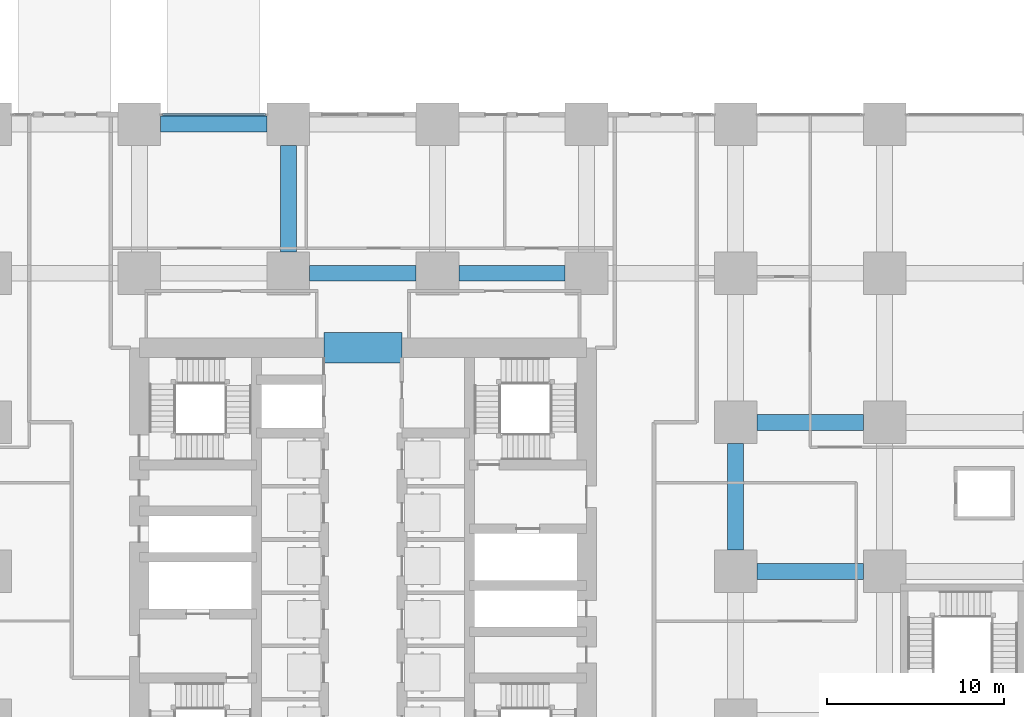
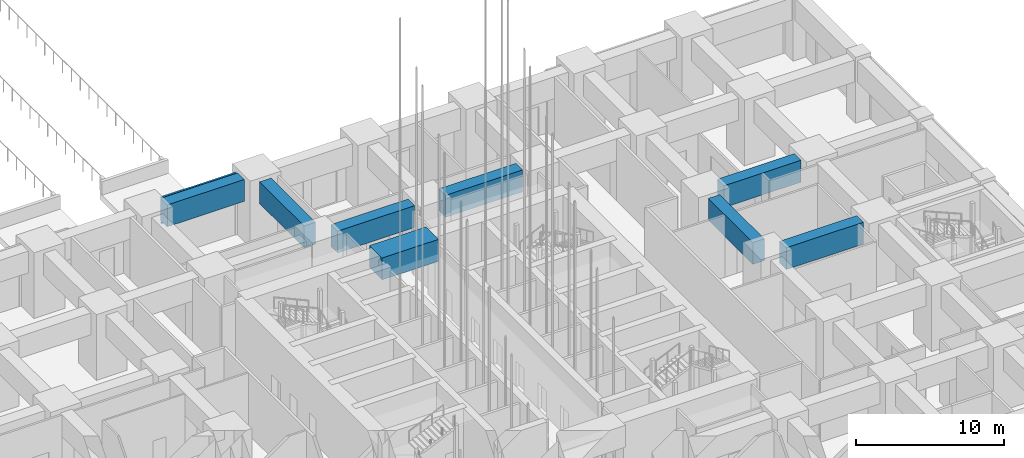
# One storey, part 25 of 81: 8 beams, 2 members, 1 element without a shape of its own.
"""IFC4 building model written with IfcOpenShell, lengths in metres."""

from ifc_helpers import new_model, si_unit, direction, frame, origin, origin_2d, place, context, subcontext, project, spatial, rectangle, hollow_rectangle, extrude, material, material_profile, profile_set, type_object, element, aggregate, save


model = new_model("IFC4")

# Units and contexts
model_context = context("Model", 3, precision=1e-05, world=origin(), true_north=direction((0.0, 1.0)))
body_context = subcontext(model_context, "Body", "Model", "MODEL_VIEW")
ifc_project = project(units=[si_unit("LENGTHUNIT", "METRE"), si_unit("AREAUNIT", "SQUARE_METRE"), si_unit("VOLUMEUNIT", "CUBIC_METRE"), si_unit("PLANEANGLEUNIT", "RADIAN"), si_unit("MASSUNIT", "GRAM", prefix="KILO")], contexts=[model_context])

# Site, building, storey
site_placement = place(None, origin())
site = spatial("IfcSite", under=ifc_project, at=site_placement, CompositionType="ELEMENT")
building_placement = place(site_placement, origin())
building = spatial("IfcBuilding", under=site, at=building_placement, Name="Rekha Terrace Tower", CompositionType="ELEMENT")
storey_placement = place(building_placement, origin())
storey = spatial("IfcBuildingStorey", under=building, at=storey_placement, Name="L00", CompositionType="ELEMENT", Elevation=0.0)

# Curtain wall, members
ifc_material_1 = material(Name="Aluminium framing", Category="aluminium")
curtain_wall_type = type_object("IfcCurtainWallType", Name="CW4 podium shopfront glazing", PredefinedType="USERDEFINED", material=ifc_material_1)
curtain_wall_placement = place(storey_placement, origin())
curtain_wall = element("IfcCurtainWall", 1, at=curtain_wall_placement, inside=storey, type_object=curtain_wall_type, Name="CW4 shopfront curtain wall", ObjectType="SHOPFRONT CURTAIN WALL", PredefinedType="USERDEFINED")
ifc_material_2 = material(Name="Aluminium transom section", Category="aluminium")
ifc_material_profile_1 = material_profile(ifc_material_2, hollow_rectangle(XDim=0.14990234375, YDim=0.074951171875, WallThickness=0.0029296875, at=origin_2d()), Name="AL RHS 150x75")
ifc_profile_set_1 = profile_set([ifc_material_profile_1], Name="Aluminium transom section")
member_type = type_object("IfcMemberType", Name="CW4 transom RHS 75 x 150", PredefinedType="USERDEFINED", material=ifc_profile_set_1)
member_1_placement = place(storey_placement, frame((32.304931640625, 59.340087890625, 3.0), z_axis=(-1.0, 0.0, 0.0), x_axis=(0.0, -1.0, 0.0)))
member_1 = element("IfcMember", 2, at=member_1_placement, type_object=member_type, Name="CW4 transom 1.2", ObjectType="TRANSOM", PredefinedType="USERDEFINED", context=body_context, shape_type="SweptSolid", body=[
    extrude(hollow_rectangle(XDim=0.14990234375, YDim=0.074951171875, WallThickness=0.0029296875, at=origin_2d()), origin(), (0.0, 0.0, 1.0), 5.809814453125),
])
member_2_placement = place(storey_placement, frame((32.304931640625, 59.340087890625, 5.0625), z_axis=(-1.0, 0.0, 0.0), x_axis=(0.0, -1.0, 0.0)))
member_2 = element("IfcMember", 3, at=member_2_placement, type_object=member_type, Name="CW4 transom 1.3", ObjectType="TRANSOM", PredefinedType="USERDEFINED", context=body_context, shape_type="SweptSolid", body=[
    extrude(hollow_rectangle(XDim=0.14990234375, YDim=0.074951171875, WallThickness=0.0029296875, at=origin_2d()), origin(), (0.0, 0.0, 1.0), 5.809814453125),
])
aggregate(curtain_wall, [member_1, member_2])

# Beams
ifc_material_3 = material(Name="Concrete M60", Category="concrete")
ifc_material_profile_2 = material_profile(ifc_material_3, rectangle(XDim=0.89990234375, YDim=1.800048828125, at=origin_2d()), Name="RC 900x1800")
ifc_profile_set_2 = profile_set([ifc_material_profile_2], Name="Concrete M60")
beam_type_1 = type_object("IfcBeamType", Name="G1 900x1800 podium floor beam", PredefinedType="BEAM", material=ifc_profile_set_2)
for number, where, z_axis, x_axis, name in (
    (4, (26.39990234375, 58.800048828125, 4.199951171875), (1.0, 0.0, 0.0), (0.0, 1.0, 0.0), "Beam G1 4H-5H under L01"),
    (5, (34.800048828125, 50.39990234375, 4.199951171875), (1.0, 0.0, 0.0), (0.0, 1.0, 0.0), "Beam G1 5G-6G under L01"),
    (6, (33.60009765625, 51.60009765625, 4.199951171875), (0.0, 1.0, 0.0), (-1.0, 0.0, 0.0), "Beam G1 5G-5H under L01"),
    (7, (43.199951171875, 50.39990234375, 4.199951171875), (1.0, 0.0, 0.0), (0.0, 1.0, 0.0), "Beam G1 6G-7G under L01"),
    (8, (60.0, 33.60009765625, 4.199951171875), (1.0, 0.0, 0.0), (0.0, 1.0, 0.0), "Beam G1 8E-9E under L01"),
    (9, (58.800048828125, 34.800048828125, 4.199951171875), (0.0, 1.0, 0.0), (-1.0, 0.0, 0.0), "Beam G1 8E-8F under L01"),
    (10, (60.0, 42.0, 4.199951171875), (1.0, 0.0, 0.0), (0.0, 1.0, 0.0), "Beam G1 8F-9F under L01"),
):
    element("IfcBeam", number, at=place(storey_placement, frame(where, z_axis=z_axis, x_axis=x_axis)), inside=storey, type_object=beam_type_1, Name=name, PredefinedType="BEAM", context=body_context, shape_type="SweptSolid", body=[
        extrude(rectangle(XDim=0.89990234375, YDim=1.800048828125, at=origin_2d()), origin(), (0.0, 0.0, 1.0), 6.0),
    ])
ifc_material_4 = material(Name="Concrete M70", Category="concrete")
ifc_material_profile_3 = material_profile(ifc_material_4, rectangle(XDim=1.699951171875, YDim=1.800048828125, at=origin_2d()), Name="RC 1700x1800")
ifc_profile_set_3 = profile_set([ifc_material_profile_3], Name="Concrete M70")
beam_type_2 = type_object("IfcBeamType", Name="LB1B 1700x1800 diagonally reinforced coupling beam", PredefinedType="LINTEL", material=ifc_profile_set_3)
beam_placement = place(storey_placement, frame((35.60009765625, 46.199951171875, 4.5), z_axis=(1.0, 0.0, 0.0), x_axis=(0.0, 1.0, 0.0)))
element("IfcBeam", 11, at=beam_placement, inside=storey, type_object=beam_type_2, Name="Coupling beam LB1B N L00", PredefinedType="LINTEL", context=body_context, shape_type="SweptSolid", body=[
    extrude(rectangle(XDim=1.699951171875, YDim=1.800048828125, at=origin_2d()), origin(), (0.0, 0.0, 1.0), 4.39990234375),
])

save(model, "model.ifc")
